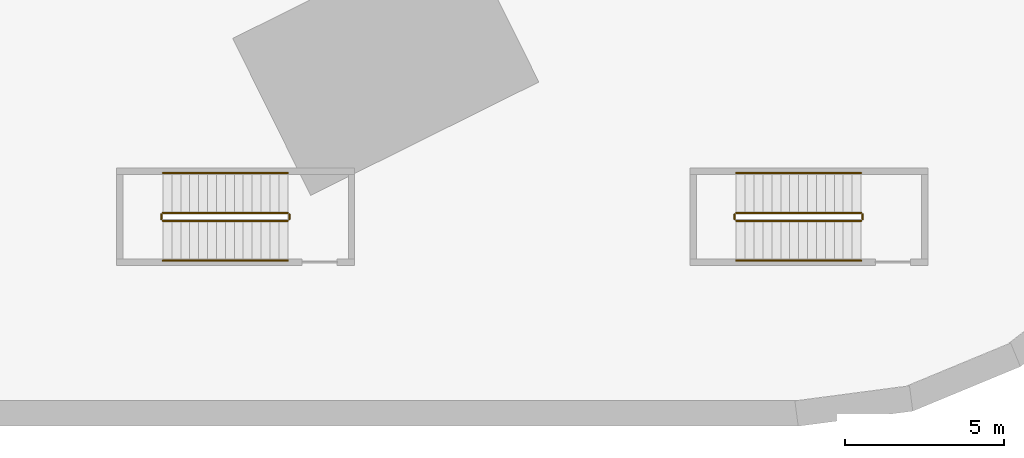
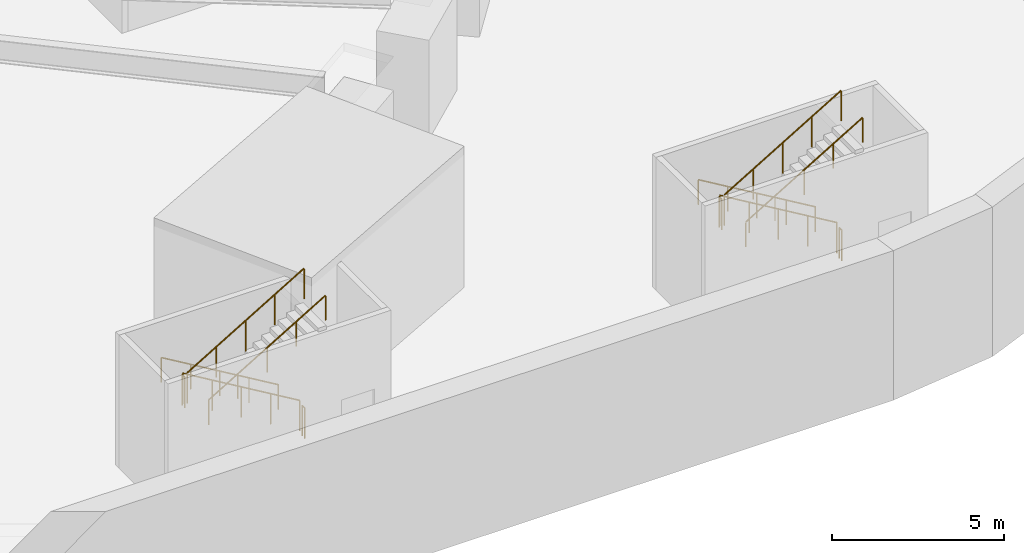
# One storey, part 7 of 10: 12 railings.
"""IFC4 building model written with IfcOpenShell, lengths in metres."""

from ifc_helpers import new_model, si_unit, direction, frame, origin, origin_2d, place, context, subcontext, project, spatial, circle, extrude, source, transform, mapped, material, type_object, element, save


model = new_model("IFC4")

# Units and contexts
model_context = context("Model", 3, precision=1e-05, world=origin(), true_north=direction((0.0, 1.0)))
body_context = subcontext(model_context, "Body", "Model", "MODEL_VIEW")
ifc_project = project(units=[si_unit("LENGTHUNIT", "METRE"), si_unit("AREAUNIT", "SQUARE_METRE"), si_unit("VOLUMEUNIT", "CUBIC_METRE"), si_unit("PLANEANGLEUNIT", "RADIAN"), si_unit("MASSUNIT", "GRAM", prefix="KILO")], contexts=[model_context])

# Site, building, storey
site_placement = place(None, origin())
site = spatial("IfcSite", under=ifc_project, at=site_placement, CompositionType="ELEMENT")
building_placement = place(site_placement, origin())
building = spatial("IfcBuilding", under=site, at=building_placement, Name="Embergate Tower", CompositionType="ELEMENT")
storey_placement = place(building_placement, frame((0.0, 0.0, -5.0)))
storey = spatial("IfcBuildingStorey", under=building, at=storey_placement, Name="B1", CompositionType="ELEMENT", Elevation=-5.0)

# Railings
ifc_material = material(Name="Steel", Category="steel")
railing_type_1 = type_object("IfcRailingType", Name="Exit stair guard 1100", PredefinedType="GUARDRAIL", material=ifc_material)
shared_shape_1 = source(origin(), body_context, "Body", "SweptSolid", [
    extrude(circle(Radius=0.02392578125, at=origin_2d()), frame((0.0, 0.0, 1.076171875), z_axis=(0.0, -1.0, 0.0), x_axis=(1.0, 0.0, 0.0)), (0.0, 0.0, 1.0), 0.14990234375),
    extrude(circle(Radius=0.02099609375, at=origin_2d()), origin(), (0.0, 0.0, 1.0), 1.052001953125),
    extrude(circle(Radius=0.02099609375, at=origin_2d()), frame((0.0, -0.14990234375, 0.0)), (0.0, 0.0, 1.0), 1.052001953125),
])
for number, where, name in (
    (1, (16.030029296875, -33.35009765625, 2.5), "B1 XS3 stair guard 2"),
    (2, (20.050048828125, -33.35009765625, 0.0), "B1 XS3 stair guard 4"),
    (3, (34.030029296875, -33.35009765625, 2.5), "B1 XS4 stair guard 2"),
    (4, (38.050048828125, -33.35009765625, 0.0), "B1 XS4 stair guard 4"),
):
    element("IfcRailing", number, at=place(storey_placement, frame(where)), inside=storey, type_object=railing_type_1, Name=name, PredefinedType="GUARDRAIL", context=body_context, shape_type="MappedRepresentation", body=[
        mapped(shared_shape_1, transform((0.0, 0.0, 0.0))),
    ])
shared_shape_2 = source(origin(), body_context, "Body", "SweptSolid", [
    extrude(circle(Radius=0.02392578125, at=origin_2d()), frame((0.0, 0.0, 1.076171875), z_axis=(0.859296244711, 0.0, 0.511478214419), x_axis=(0.0, 1.0, 0.0)), (0.0, 0.0, 1.0), 4.561767578125),
    extrude(circle(Radius=0.02099609375, at=origin_2d()), origin(), (0.0, 0.0, 1.0), 1.052001953125),
    extrude(circle(Radius=0.02099609375, at=origin_2d()), frame((0.97998046875, 0.0, 0.583251953125)), (0.0, 0.0, 1.0), 1.052001953125),
    extrude(circle(Radius=0.02099609375, at=origin_2d()), frame((1.9599609375, 0.0, 1.16650390625)), (0.0, 0.0, 1.0), 1.052001953125),
    extrude(circle(Radius=0.02099609375, at=origin_2d()), frame((2.93994140625, 0.0, 1.75)), (0.0, 0.0, 1.0), 1.052001953125),
    extrude(circle(Radius=0.02099609375, at=origin_2d()), frame((3.919921875, 0.0, 2.333251953125)), (0.0, 0.0, 1.0), 1.052001953125),
])
for number, where, name in (
    (5, (16.080078125, -33.550048828125, 2.666748046875), "B1 XS3 stair guard 3"),
    (6, (34.080078125, -33.550048828125, 2.666748046875), "B1 XS4 stair guard 3"),
):
    element("IfcRailing", number, at=place(storey_placement, frame(where)), inside=storey, type_object=railing_type_1, Name=name, PredefinedType="GUARDRAIL", context=body_context, shape_type="MappedRepresentation", body=[
        mapped(shared_shape_2, transform((0.0, 0.0, 0.0))),
    ])
shared_shape_3 = source(origin(), body_context, "Body", "SweptSolid", [
    extrude(circle(Radius=0.02392578125, at=origin_2d()), frame((0.0, 0.0, 1.076171875), z_axis=(-0.859296244711, 0.0, 0.511478214419), x_axis=(0.0, -1.0, 0.0)), (0.0, 0.0, 1.0), 4.561767578125),
    extrude(circle(Radius=0.02099609375, at=origin_2d()), origin(), (0.0, 0.0, 1.0), 1.052001953125),
    extrude(circle(Radius=0.02099609375, at=origin_2d()), frame((-0.97998046875, 0.0, 0.583251953125)), (0.0, 0.0, 1.0), 1.052001953125),
    extrude(circle(Radius=0.02099609375, at=origin_2d()), frame((-1.9599609375, 0.0, 1.16650390625)), (0.0, 0.0, 1.0), 1.052001953125),
    extrude(circle(Radius=0.02099609375, at=origin_2d()), frame((-2.93994140625, 0.0, 1.75)), (0.0, 0.0, 1.0), 1.052001953125),
    extrude(circle(Radius=0.02099609375, at=origin_2d()), frame((-3.919921875, 0.0, 2.333251953125)), (0.0, 0.0, 1.0), 1.052001953125),
])
for number, where, name in (
    (7, (20.0, -33.300048828125, 0.166748046875), "B1 XS3 stair guard 1"),
    (8, (38.0, -33.300048828125, 0.166748046875), "B1 XS4 stair guard 1"),
):
    element("IfcRailing", number, at=place(storey_placement, frame(where)), inside=storey, type_object=railing_type_1, Name=name, PredefinedType="GUARDRAIL", context=body_context, shape_type="MappedRepresentation", body=[
        mapped(shared_shape_3, transform((0.0, 0.0, 0.0))),
    ])
railing_type_2 = type_object("IfcRailingType", Name="Exit stair handrail 900", PredefinedType="HANDRAIL", material=ifc_material)
shared_shape_4 = source(origin(), body_context, "Body", "SweptSolid", [
    extrude(circle(Radius=0.02392578125, at=origin_2d()), frame((0.0, 0.0, 0.8759765625), z_axis=(0.859296244711, 0.0, 0.511478214419), x_axis=(0.0, 1.0, 0.0)), (0.0, 0.0, 1.0), 4.561767578125),
    extrude(circle(Radius=0.02099609375, at=origin_2d()), origin(), (0.0, 0.0, 1.0), 0.851806640625),
    extrude(circle(Radius=0.02099609375, at=origin_2d()), frame((0.97998046875, 0.0, 0.583251953125)), (0.0, 0.0, 1.0), 0.851806640625),
    extrude(circle(Radius=0.02099609375, at=origin_2d()), frame((1.9599609375, 0.0, 1.16650390625)), (0.0, 0.0, 1.0), 0.851806640625),
    extrude(circle(Radius=0.02099609375, at=origin_2d()), frame((2.93994140625, 0.0, 1.75)), (0.0, 0.0, 1.0), 0.851806640625),
    extrude(circle(Radius=0.02099609375, at=origin_2d()), frame((3.919921875, 0.0, 2.333251953125)), (0.0, 0.0, 1.0), 0.851806640625),
])
for number, where, name in (
    (9, (16.080078125, -34.800048828125, 2.666748046875), "B1 XS3 stair handrail 2"),
    (10, (34.080078125, -34.800048828125, 2.666748046875), "B1 XS4 stair handrail 2"),
):
    element("IfcRailing", number, at=place(storey_placement, frame(where)), inside=storey, type_object=railing_type_2, Name=name, PredefinedType="HANDRAIL", context=body_context, shape_type="MappedRepresentation", body=[
        mapped(shared_shape_4, transform((0.0, 0.0, 0.0))),
    ])
shared_shape_5 = source(origin(), body_context, "Body", "SweptSolid", [
    extrude(circle(Radius=0.02392578125, at=origin_2d()), frame((0.0, 0.0, 0.8759765625), z_axis=(-0.859296244711, 0.0, 0.511478214419), x_axis=(0.0, -1.0, 0.0)), (0.0, 0.0, 1.0), 4.561767578125),
    extrude(circle(Radius=0.02099609375, at=origin_2d()), origin(), (0.0, 0.0, 1.0), 0.851806640625),
    extrude(circle(Radius=0.02099609375, at=origin_2d()), frame((-0.97998046875, 0.0, 0.583251953125)), (0.0, 0.0, 1.0), 0.851806640625),
    extrude(circle(Radius=0.02099609375, at=origin_2d()), frame((-1.9599609375, 0.0, 1.16650390625)), (0.0, 0.0, 1.0), 0.851806640625),
    extrude(circle(Radius=0.02099609375, at=origin_2d()), frame((-2.93994140625, 0.0, 1.75)), (0.0, 0.0, 1.0), 0.851806640625),
    extrude(circle(Radius=0.02099609375, at=origin_2d()), frame((-3.919921875, 0.0, 2.333251953125)), (0.0, 0.0, 1.0), 0.851806640625),
])
for number, where, name in (
    (11, (20.0, -32.050048828125, 0.166748046875), "B1 XS3 stair handrail 1"),
    (12, (38.0, -32.050048828125, 0.166748046875), "B1 XS4 stair handrail 1"),
):
    element("IfcRailing", number, at=place(storey_placement, frame(where)), inside=storey, type_object=railing_type_2, Name=name, PredefinedType="HANDRAIL", context=body_context, shape_type="MappedRepresentation", body=[
        mapped(shared_shape_5, transform((0.0, 0.0, 0.0))),
    ])

save(model, "model.ifc")
